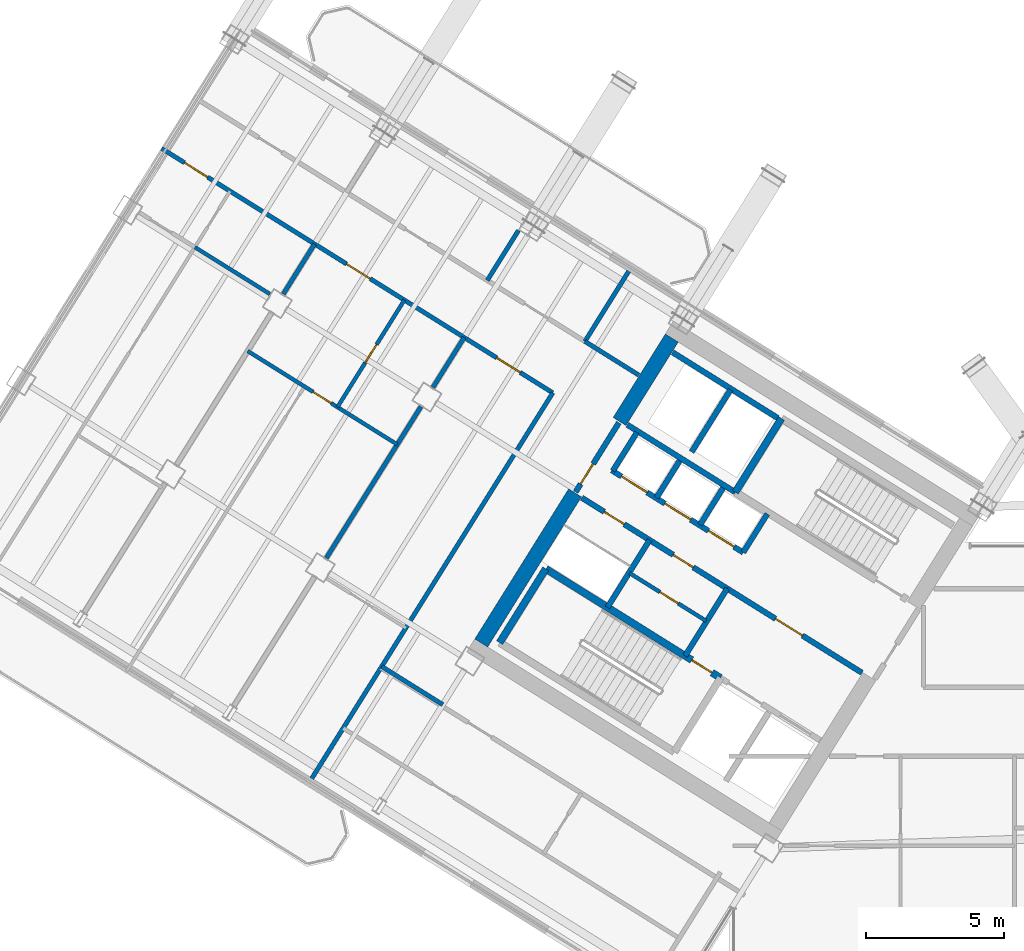
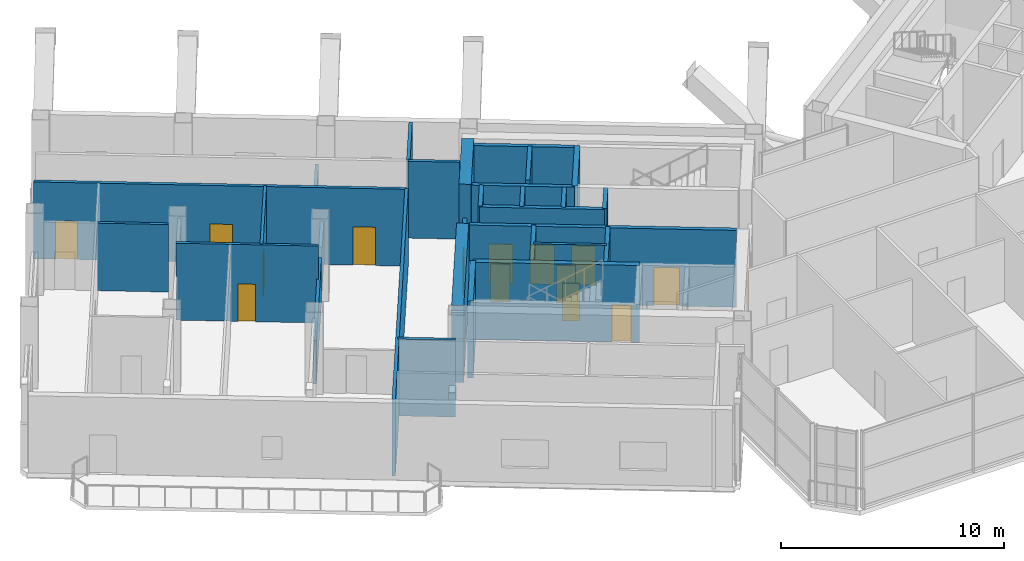
# One storey, part 23 of 34: 31 walls, 14 doors, 14 openings.
"""IFC4 building model written with IfcOpenShell, lengths in metres."""

from ifc_helpers import new_model, si_unit, direction, frame, frame_2d, origin, place, context, subcontext, project, spatial, rectangle, extrude, source, transform, mapped, material, layer, layer_set, type_object, element, fill, save


model = new_model("IFC4")

# Units and contexts
model_context = context("Model", 3, precision=1e-05, world=origin(), true_north=direction((0.0, 1.0)))
body_context = subcontext(model_context, "Body", "Model", "MODEL_VIEW")
ifc_project = project(units=[si_unit("LENGTHUNIT", "METRE"), si_unit("AREAUNIT", "SQUARE_METRE"), si_unit("VOLUMEUNIT", "CUBIC_METRE"), si_unit("PLANEANGLEUNIT", "RADIAN"), si_unit("MASSUNIT", "GRAM", prefix="KILO")], contexts=[model_context])

# Site, building, storey
site_placement = place(None, origin())
site = spatial("IfcSite", under=ifc_project, at=site_placement, CompositionType="ELEMENT")
building_placement = place(site_placement, origin())
building = spatial("IfcBuilding", under=site, at=building_placement, Name="Tlacorven Tower", CompositionType="ELEMENT")
storey_placement = place(building_placement, frame((0.0, 0.0, 174.89990234375)))
storey = spatial("IfcBuildingStorey", under=building, at=storey_placement, Name="L44", CompositionType="ELEMENT", Elevation=174.89990234375)

# Walls
ifc_material_1 = material(Name="Concrete C60/75", Category="concrete")
ifc_layer_1 = layer(ifc_material_1, 0.550048828125)
ifc_layer_set_1 = layer_set([ifc_layer_1], Name="Concrete C60/75")
wall_type_1 = type_object("IfcWallType", Name="WL-COR-550", PredefinedType="SHEAR", material=ifc_layer_set_1)
wall_1_placement = place(storey_placement, frame((29.517333984375, 30.59423828125, 0.0), z_axis=(0.0, 0.0, 1.0), x_axis=(-0.529906864564, -0.848055844204, 0.0)))
element("IfcWall", 1, at=wall_1_placement, inside=storey, type_object=wall_type_1, Name="L44 W core end wall E2.1", PredefinedType="SHEAR", context=body_context, shape_type="SweptSolid", body=[
    extrude(rectangle(XDim=3.5751953125, YDim=0.550048828125, at=frame_2d((1.78759765625, 0.0))), origin(), (0.0, 0.0, 1.0), 4.22021484375),
])
wall_2_placement = place(storey_placement, frame((26.006591796875, 24.975830078125, 0.0), z_axis=(0.0, 0.0, 1.0), x_axis=(-0.529923795287, -0.848045264823, 0.0)))
element("IfcWall", 2, at=wall_2_placement, inside=storey, type_object=wall_type_1, Name="L44 W core end wall E2.2", PredefinedType="SHEAR", context=body_context, shape_type="SweptSolid", body=[
    extrude(rectangle(XDim=6.425048828125, YDim=0.550048828125, at=frame_2d((3.21240234375, 0.0))), origin(), (0.0, 0.0, 1.0), 4.22021484375),
])
ifc_material_2 = material(Name="Gypsum plasterboard acoustic partition", Category="gypsum")
ifc_layer_2 = layer(ifc_material_2, 0.159912109375)
ifc_layer_set_2 = layer_set([ifc_layer_2], Name="Gypsum plasterboard acoustic partition")
wall_type_2 = type_object("IfcWallType", Name="WL-DEM-160", PredefinedType="PARTITIONING", material=ifc_layer_set_2)
wall_3_placement = place(storey_placement, frame((28.320556640625, 29.248779296875, 0.0), z_axis=(0.0, 0.0, 1.0), x_axis=(-0.848028015797, 0.529951398172, 0.0)))
element("IfcWall", 3, at=wall_3_placement, inside=storey, type_object=wall_type_2, Name="L44 partition 46", PredefinedType="PARTITIONING", context=body_context, shape_type="SweptSolid", body=[
    extrude(rectangle(XDim=2.30810546875, YDim=0.159912109375, at=frame_2d((1.154052734375, 0.0))), origin(), (0.0, 0.0, 1.0), 4.210205078125),
])
wall_4_placement = place(storey_placement, frame((21.20556640625, 17.29248046875, 0.0), z_axis=(0.0, 0.0, 1.0), x_axis=(-0.848050851465, 0.529914854792, 0.0)))
element("IfcWall", 4, at=wall_4_placement, inside=storey, type_object=wall_type_2, Name="L44 partition 47", PredefinedType="PARTITIONING", context=body_context, shape_type="SweptSolid", body=[
    extrude(rectangle(XDim=2.60986328125, YDim=0.159912109375, at=frame_2d((1.304931640625, 0.0))), origin(), (0.0, 0.0, 1.0), 4.210205078125),
])
wall_5_placement = place(storey_placement, frame((27.952880859375, 33.01611328125, 0.0), z_axis=(0.0, 0.0, 1.0), x_axis=(-0.529874576144, -0.848076018737, 0.0)))
element("IfcWall", 5, at=wall_5_placement, inside=storey, type_object=wall_type_2, Name="L44 partition 48", PredefinedType="PARTITIONING", context=body_context, shape_type="SweptSolid", body=[
    extrude(rectangle(XDim=3.0, YDim=0.159912109375, at=frame_2d((1.5, 0.0))), origin(), (0.0, 0.0, 1.0), 4.210205078125),
])
wall_6_placement = place(storey_placement, frame((25.197509765625, 28.606201171875, 0.0), z_axis=(0.0, 0.0, 1.0), x_axis=(-0.529921796515, -0.848046513806, 0.0)))
element("IfcWall", 6, at=wall_6_placement, inside=storey, type_object=wall_type_2, Name="L44 partition 49", PredefinedType="PARTITIONING", context=body_context, shape_type="SweptSolid", body=[
    extrude(rectangle(XDim=16.5, YDim=0.159912109375, at=frame_2d((8.25, 0.0))), origin(), (0.0, 0.0, 1.0), 4.210205078125),
])

# Wall, openings, doors
wall_7_placement = place(storey_placement, frame((25.197509765625, 28.606201171875, 0.0), z_axis=(0.0, 0.0, 1.0), x_axis=(-0.848052408131, 0.529912363569, 0.0)))
wall_7 = element("IfcWall", 7, at=wall_7_placement, inside=storey, type_object=wall_type_2, Name="L44 Wing W Corridor North Wall", PredefinedType="PARTITIONING", context=body_context, shape_type="SweptSolid", body=[
    extrude(rectangle(XDim=16.72998046875, YDim=0.159912109375, at=frame_2d((8.364990234375, 0.0))), origin(), (0.0, 0.0, 1.0), 4.210205078125),
])
opening_1_placement = place(wall_7_placement, frame((1.39501953125, 0.0, 0.0)))
opening_1 = element("IfcOpeningElement", 8, at=opening_1_placement, cuts=wall_7, Name="Opening D11", PredefinedType="OPENING", context=body_context, shape_type="SweptSolid", body=[
    extrude(rectangle(XDim=1.0, YDim=2.10009765625, at=frame_2d((0.5, 1.050048828125))), frame((0.0, 0.08984375, 0.0), z_axis=(0.0, -1.0, 0.0), x_axis=(1.0, 0.0, 0.0)), (0.0, 0.0, 1.0), 0.179931640625),
])
opening_2_placement = place(wall_7_placement, frame((7.820068359375, 0.0, 0.0)))
opening_2 = element("IfcOpeningElement", 9, at=opening_2_placement, cuts=wall_7, Name="Opening D11", PredefinedType="OPENING", context=body_context, shape_type="SweptSolid", body=[
    extrude(rectangle(XDim=1.0, YDim=2.10009765625, at=frame_2d((0.5, 1.050048828125))), frame((0.0, 0.08984375, 0.0), z_axis=(0.0, -1.0, 0.0), x_axis=(1.0, 0.0, 0.0)), (0.0, 0.0, 1.0), 0.179931640625),
])
opening_3_placement = place(wall_7_placement, frame((14.760009765625, 0.0, 0.0)))
opening_3 = element("IfcOpeningElement", 10, at=opening_3_placement, cuts=wall_7, Name="Opening D11", PredefinedType="OPENING", context=body_context, shape_type="SweptSolid", body=[
    extrude(rectangle(XDim=1.0, YDim=2.10009765625, at=frame_2d((0.5, 1.050048828125))), frame((0.0, 0.08984375, 0.0), z_axis=(0.0, -1.0, 0.0), x_axis=(1.0, 0.0, 0.0)), (0.0, 0.0, 1.0), 0.179931640625),
])
ifc_material_3 = material(Name="Fire-rated steel door assembly", Category="steel")
door_type_1 = type_object("IfcDoorType", Name="DR-FLT-FD60-1000", OperationType="NOTDEFINED", PredefinedType="DOOR", material=ifc_material_3)
shared_shape_1 = source(origin(), body_context, "Body", "SweptSolid", [
    extrude(rectangle(XDim=1.0, YDim=2.10009765625, at=frame_2d((0.5, 1.050048828125))), frame((0.0, 0.02490234375, 0.0), z_axis=(0.0, -1.0, 0.0), x_axis=(1.0, 0.0, 0.0)), (0.0, 0.0, 1.0), 0.050048828125),
])
door_1_placement = place(opening_1_placement, origin())
door_1 = element("IfcDoor", 11, at=door_1_placement, inside=storey, type_object=door_type_1, Name="L44 door 024", OperationType="SINGLE_SWING_LEFT", OverallHeight=2.10009765625, OverallWidth=1.0, PredefinedType="DOOR", context=body_context, shape_type="MappedRepresentation", body=[
    mapped(shared_shape_1, transform((0.0, 0.0, 0.0), scale=1.0)),
])
fill(opening_1, door_1)
door_2_placement = place(opening_2_placement, origin())
door_2 = element("IfcDoor", 12, at=door_2_placement, inside=storey, type_object=door_type_1, Name="L44 door 027", OperationType="SINGLE_SWING_RIGHT", OverallHeight=2.10009765625, OverallWidth=1.0, PredefinedType="DOOR", context=body_context, shape_type="MappedRepresentation", body=[
    mapped(shared_shape_1, transform((0.0, 0.0, 0.0), scale=1.0)),
])
fill(opening_2, door_2)
door_3_placement = place(opening_3_placement, origin())
door_3 = element("IfcDoor", 13, at=door_3_placement, inside=storey, type_object=door_type_1, Name="L44 door 031", OperationType="SINGLE_SWING_RIGHT", OverallHeight=2.10009765625, OverallWidth=1.0, PredefinedType="DOOR", context=body_context, shape_type="MappedRepresentation", body=[
    mapped(shared_shape_1, transform((0.0, 0.0, 0.0), scale=1.0)),
])
fill(opening_3, door_3)

# Walls
wall_8_placement = place(storey_placement, frame((21.9833984375, 30.614501953125, 0.0), z_axis=(0.0, 0.0, 1.0), x_axis=(-0.529978410432, -0.848011134641, 0.0)))
element("IfcWall", 14, at=wall_8_placement, inside=storey, type_object=wall_type_2, Name="L44 WN Demising Wall 1", PredefinedType="PARTITIONING", context=body_context, shape_type="SweptSolid", body=[
    extrude(rectangle(XDim=2.137939453125, YDim=0.159912109375, at=frame_2d((1.06884765625, 0.0))), origin(), (0.0, 0.0, 1.0), 2.39501953125),
])
wall_9_placement = place(storey_placement, frame((20.413818359375, 28.102783203125, 0.0), z_axis=(0.0, 0.0, 1.0), x_axis=(-0.529934553702, -0.848038542045, 0.0)))
element("IfcWall", 15, at=wall_9_placement, inside=storey, type_object=wall_type_2, Name="L44 WN Demising Wall 1", PredefinedType="PARTITIONING", context=body_context, shape_type="SweptSolid", body=[
    extrude(rectangle(XDim=6.47607421875, YDim=0.159912109375, at=frame_2d((3.238037109375, 0.0))), origin(), (0.0, 0.0, 1.0), 2.39501953125),
])
wall_10_placement = place(storey_placement, frame((16.555908203125, 34.006103515625, 0.0), z_axis=(0.0, 0.0, 1.0), x_axis=(-0.529927092104, -0.84804320471, 0.0)))
element("IfcWall", 16, at=wall_10_placement, inside=storey, type_object=wall_type_2, Name="L44 WN Demising Wall 2", PredefinedType="PARTITIONING", context=body_context, shape_type="SweptSolid", body=[
    extrude(rectangle(XDim=2.13818359375, YDim=0.159912109375, at=frame_2d((1.069091796875, 0.0))), origin(), (0.0, 0.0, 1.0), 2.39501953125),
])
wall_11_placement = place(storey_placement, frame((23.953857421875, 34.49853515625, 0.0), z_axis=(0.0, 0.0, 1.0), x_axis=(-0.529844966244, -0.848094518167, 0.0)))
element("IfcWall", 17, at=wall_11_placement, inside=storey, type_object=wall_type_2, Name="L44 partition 63", PredefinedType="PARTITIONING", context=body_context, shape_type="SweptSolid", body=[
    extrude(rectangle(XDim=2.137939453125, YDim=0.159912109375, at=frame_2d((1.06884765625, 0.0))), origin(), (0.0, 0.0, 1.0), 2.39501953125),
])

# Wall, opening, door
ifc_material_4 = material(Name="Moisture-resistant gypsum plumbing wall", Category="gypsum")
ifc_layer_3 = layer(ifc_material_4, 0.139892578125)
ifc_layer_set_3 = layer_set([ifc_layer_3], Name="Moisture-resistant gypsum plumbing wall")
wall_type_3 = type_object("IfcWallType", Name="WL-PLM-140", PredefinedType="PLUMBINGWALL", material=ifc_layer_set_3)
wall_12_placement = place(storey_placement, frame((30.766357421875, 20.3271484375, 0.0), z_axis=(0.0, 0.0, 1.0), x_axis=(-0.848052663127, 0.529911955482, 0.0)))
wall_12 = element("IfcWall", 18, at=wall_12_placement, inside=storey, type_object=wall_type_3, Name="L44 partition 23", PredefinedType="PLUMBINGWALL", context=body_context, shape_type="SweptSolid", body=[
    extrude(rectangle(XDim=3.27978515625, YDim=0.139892578125, at=frame_2d((1.639892578125, 0.0))), origin(), (0.0, 0.0, 1.0), 4.210205078125),
])
opening_4_placement = place(wall_12_placement, frame((1.199951171875, 0.0, 0.0)))
opening_4 = element("IfcOpeningElement", 19, at=opening_4_placement, cuts=wall_12, Name="Opening D22", PredefinedType="OPENING", context=body_context, shape_type="SweptSolid", body=[
    extrude(rectangle(XDim=0.780029296875, YDim=2.050048828125, at=frame_2d((0.39013671875, 1.02490234375))), frame((0.0, 0.080078125, 0.0), z_axis=(0.0, -1.0, 0.0), x_axis=(1.0, 0.0, 0.0)), (0.0, 0.0, 1.0), 0.159912109375),
])
ifc_material_5 = material(Name="Powder-coated aluminium and timber door", Category="wood")
door_type_2 = type_object("IfcDoorType", Name="DR-INT-WET-0780", OperationType="NOTDEFINED", PredefinedType="DOOR", material=ifc_material_5)
shared_shape_2 = source(origin(), body_context, "Body", "SweptSolid", [
    extrude(rectangle(XDim=0.780029296875, YDim=2.050048828125, at=frame_2d((0.39013671875, 1.02490234375))), frame((0.0, 0.02490234375, 0.0), z_axis=(0.0, -1.0, 0.0), x_axis=(1.0, 0.0, 0.0)), (0.0, 0.0, 1.0), 0.050048828125),
])
door_4_placement = place(opening_4_placement, origin())
door_4 = element("IfcDoor", 20, at=door_4_placement, inside=storey, type_object=door_type_2, Name="L44 door 011", OperationType="SINGLE_SWING_LEFT", OverallHeight=2.050048828125, OverallWidth=0.780029296875, PredefinedType="DOOR", context=body_context, shape_type="MappedRepresentation", body=[
    mapped(shared_shape_2, transform((0.0, 0.0, 0.0), scale=1.0)),
])
fill(opening_4, door_4)

wall_13_placement = place(storey_placement, frame((19.556396484375, 26.73046875, 0.0), z_axis=(0.0, 0.0, 1.0), x_axis=(-0.848049732085, 0.529916646191, 0.0)))
wall_13 = element("IfcWall", 21, at=wall_13_placement, inside=storey, type_object=wall_type_3, Name="L44 partition 55", PredefinedType="PLUMBINGWALL", context=body_context, shape_type="SweptSolid", body=[
    extrude(rectangle(XDim=6.400146484375, YDim=0.139892578125, at=frame_2d((3.2001953125, 0.0))), origin(), (0.0, 0.0, 1.0), 4.210205078125),
])
opening_5_placement = place(wall_13_placement, frame((2.823974609375, 0.0, 0.0)))
opening_5 = element("IfcOpeningElement", 22, at=opening_5_placement, cuts=wall_13, Name="Opening D22", PredefinedType="OPENING", context=body_context, shape_type="SweptSolid", body=[
    extrude(rectangle(XDim=0.780029296875, YDim=2.050048828125, at=frame_2d((0.39013671875, 1.02490234375))), frame((0.0, 0.080078125, 0.0), z_axis=(0.0, -1.0, 0.0), x_axis=(1.0, 0.0, 0.0)), (0.0, 0.0, 1.0), 0.159912109375),
])
door_5_placement = place(opening_5_placement, origin())
door_5 = element("IfcDoor", 23, at=door_5_placement, inside=storey, type_object=door_type_2, Name="L44 door 028", OperationType="SINGLE_SWING_LEFT", OverallHeight=2.050048828125, OverallWidth=0.780029296875, PredefinedType="DOOR", context=body_context, shape_type="MappedRepresentation", body=[
    mapped(shared_shape_2, transform((0.0, 0.0, 0.0), scale=1.0)),
])
fill(opening_5, door_5)

wall_14_placement = place(storey_placement, frame((19.812255859375, 31.97119140625, 0.0), z_axis=(0.0, 0.0, 1.0), x_axis=(-0.529917480809, -0.848049210561, 0.0)))
wall_14 = element("IfcWall", 24, at=wall_14_placement, inside=storey, type_object=wall_type_3, Name="L44 partition 56", PredefinedType="PLUMBINGWALL", context=body_context, shape_type="SweptSolid", body=[
    extrude(rectangle(XDim=4.580078125, YDim=0.139892578125, at=frame_2d((2.2900390625, 0.0))), origin(), (0.0, 0.0, 1.0), 4.210205078125),
])
opening_6_placement = place(wall_14_placement, frame((1.89990234375, 0.0, 0.0)))
opening_6 = element("IfcOpeningElement", 25, at=opening_6_placement, cuts=wall_14, Name="Opening D22", PredefinedType="OPENING", context=body_context, shape_type="SweptSolid", body=[
    extrude(rectangle(XDim=0.780029296875, YDim=2.050048828125, at=frame_2d((0.39013671875, 1.02490234375))), frame((0.0, 0.080078125, 0.0), z_axis=(0.0, -1.0, 0.0), x_axis=(1.0, 0.0, 0.0)), (0.0, 0.0, 1.0), 0.159912109375),
])
door_6_placement = place(opening_6_placement, origin())
door_6 = element("IfcDoor", 26, at=door_6_placement, inside=storey, type_object=door_type_2, Name="L44 door 029", OperationType="SINGLE_SWING_RIGHT", OverallHeight=2.050048828125, OverallWidth=0.780029296875, PredefinedType="DOOR", context=body_context, shape_type="MappedRepresentation", body=[
    mapped(shared_shape_2, transform((0.0, 0.0, 0.0), scale=1.0)),
])
fill(opening_6, door_6)

# Wall
wall_15_placement = place(storey_placement, frame((14.9345703125, 32.189208984375, 0.0), z_axis=(0.0, 0.0, 1.0), x_axis=(-0.848045332252, 0.529923687379, 0.0)))
element("IfcWall", 27, at=wall_15_placement, inside=storey, type_object=wall_type_3, Name="L44 partition 61", PredefinedType="PLUMBINGWALL", context=body_context, shape_type="SweptSolid", body=[
    extrude(rectangle(XDim=3.2080078125, YDim=0.139892578125, at=frame_2d((1.60400390625, 0.0))), origin(), (0.0, 0.0, 1.0), 3.695068359375),
])

# Wall, opening, door
ifc_material_6 = material(Name="Concrete C40/50", Category="concrete")
ifc_layer_4 = layer(ifc_material_6, 0.199951171875)
ifc_layer_set_4 = layer_set([ifc_layer_4], Name="Concrete C40/50")
wall_type_4 = type_object("IfcWallType", Name="WL-SHF-200", PredefinedType="STANDARD", material=ifc_layer_set_4)
wall_16_placement = place(storey_placement, frame((36.416748046875, 18.447265625, 0.0), z_axis=(0.0, 0.0, 1.0), x_axis=(-0.848064879198, 0.529892404805, 0.0)))
wall_16 = element("IfcWall", 28, at=wall_16_placement, inside=storey, type_object=wall_type_4, Name="L44 Core W Smoke Lobby Wall", PredefinedType="STANDARD", context=body_context, shape_type="SweptSolid", body=[
    extrude(rectangle(XDim=5.76806640625, YDim=0.199951171875, at=frame_2d((2.884033203125, 0.0))), origin(), (0.0, 0.0, 1.0), 4.210205078125),
])
opening_7_placement = place(wall_16_placement, frame((2.548095703125, 0.0, 0.0)))
opening_7 = element("IfcOpeningElement", 29, at=opening_7_placement, cuts=wall_16, Name="Opening D09", PredefinedType="OPENING", context=body_context, shape_type="SweptSolid", body=[
    extrude(rectangle(XDim=1.14990234375, YDim=2.10009765625, at=frame_2d((0.574951171875, 1.050048828125))), frame((0.0, 0.10986328125, 0.0), z_axis=(0.0, -1.0, 0.0), x_axis=(1.0, 0.0, 0.0)), (0.0, 0.0, 1.0), 0.219970703125),
])
door_type_3 = type_object("IfcDoorType", Name="DR-FFL-FD60-1150", OperationType="NOTDEFINED", PredefinedType="DOOR", material=ifc_material_3)
shared_shape_3 = source(origin(), body_context, "Body", "SweptSolid", [
    extrude(rectangle(XDim=1.14990234375, YDim=2.10009765625, at=frame_2d((0.574951171875, 1.050048828125))), frame((0.0, 0.02490234375, 0.0), z_axis=(0.0, -1.0, 0.0), x_axis=(1.0, 0.0, 0.0)), (0.0, 0.0, 1.0), 0.050048828125),
])
door_7_placement = place(opening_7_placement, origin())
door_7 = element("IfcDoor", 30, at=door_7_placement, inside=storey, type_object=door_type_3, Name="L44 Firefighting Lobby W Fire Door", OperationType="SINGLE_SWING_RIGHT", OverallHeight=2.10009765625, OverallWidth=1.14990234375, PredefinedType="DOOR", context=body_context, shape_type="MappedRepresentation", body=[
    mapped(shared_shape_3, transform((0.0, 0.0, 0.0), scale=1.0)),
])
fill(opening_7, door_7)

# Wall
wall_17_placement = place(storey_placement, frame((31.82177734375, 24.99755859375, 0.0), z_axis=(0.0, 0.0, 1.0), x_axis=(-0.848036912365, 0.52993716162, 0.0)))
element("IfcWall", 31, at=wall_17_placement, inside=storey, type_object=wall_type_4, Name="L44 Core W South Lift Shaft Wall", PredefinedType="STANDARD", context=body_context, shape_type="SweptSolid", body=[
    extrude(rectangle(XDim=4.617919921875, YDim=0.199951171875, at=frame_2d((2.30908203125, 0.0))), origin(), (0.0, 0.0, 1.0), 4.210205078125),
])

# Wall, openings, doors
wall_18_placement = place(storey_placement, frame((32.108154296875, 22.81396484375, 0.0), z_axis=(0.0, 0.0, 1.0), x_axis=(-0.848042229521, 0.529928652696, 0.0)))
wall_18 = element("IfcWall", 32, at=wall_18_placement, inside=storey, type_object=wall_type_4, Name="L44 partition 11", PredefinedType="STANDARD", context=body_context, shape_type="SweptSolid", body=[
    extrude(rectangle(XDim=5.6201171875, YDim=0.199951171875, at=frame_2d((2.81005859375, 0.0))), origin(), (0.0, 0.0, 1.0), 4.210205078125),
])
opening_8_placement = place(wall_18_placement, frame((0.389892578125, 0.0, 0.0)))
opening_8 = element("IfcOpeningElement", 33, at=opening_8_placement, cuts=wall_18, Name="Opening LD01", PredefinedType="OPENING", context=body_context, shape_type="SweptSolid", body=[
    extrude(rectangle(XDim=1.10009765625, YDim=2.14990234375, at=frame_2d((0.550048828125, 1.074951171875))), frame((0.0, 0.10986328125, 0.0), z_axis=(0.0, -1.0, 0.0), x_axis=(1.0, 0.0, 0.0)), (0.0, 0.0, 1.0), 0.219970703125),
])
opening_9_placement = place(wall_18_placement, frame((2.25, 0.0, 0.0)))
opening_9 = element("IfcOpeningElement", 34, at=opening_9_placement, cuts=wall_18, Name="Opening LD01", PredefinedType="OPENING", context=body_context, shape_type="SweptSolid", body=[
    extrude(rectangle(XDim=1.10009765625, YDim=2.14990234375, at=frame_2d((0.550048828125, 1.074951171875))), frame((0.0, 0.10986328125, 0.0), z_axis=(0.0, -1.0, 0.0), x_axis=(1.0, 0.0, 0.0)), (0.0, 0.0, 1.0), 0.219970703125),
])
opening_10_placement = place(wall_18_placement, frame((4.110107421875, 0.0, 0.0)))
opening_10 = element("IfcOpeningElement", 35, at=opening_10_placement, cuts=wall_18, Name="Opening LD01", PredefinedType="OPENING", context=body_context, shape_type="SweptSolid", body=[
    extrude(rectangle(XDim=1.10009765625, YDim=2.14990234375, at=frame_2d((0.550048828125, 1.074951171875))), frame((0.0, 0.10986328125, 0.0), z_axis=(0.0, -1.0, 0.0), x_axis=(1.0, 0.0, 0.0)), (0.0, 0.0, 1.0), 0.219970703125),
])
door_type_4 = type_object("IfcDoorType", Name="DR-LFT-SLID-1100", OperationType="DOUBLE_DOOR_SLIDING", PredefinedType="DOOR", material=ifc_material_3)
shared_shape_4 = source(origin(), body_context, "Body", "SweptSolid", [
    extrude(rectangle(XDim=1.10009765625, YDim=2.14990234375, at=frame_2d((0.550048828125, 1.074951171875))), frame((0.0, 0.02490234375, 0.0), z_axis=(0.0, -1.0, 0.0), x_axis=(1.0, 0.0, 0.0)), (0.0, 0.0, 1.0), 0.050048828125),
])
door_8_placement = place(opening_8_placement, origin())
door_8 = element("IfcDoor", 36, at=door_8_placement, inside=storey, type_object=door_type_4, Name="L44 Lift PL-M1 Sliding Landing Door", OperationType="DOUBLE_DOOR_SLIDING", OverallHeight=2.14990234375, OverallWidth=1.10009765625, PredefinedType="DOOR", context=body_context, shape_type="MappedRepresentation", body=[
    mapped(shared_shape_4, transform((0.0, 0.0, 0.0), scale=1.0)),
])
fill(opening_8, door_8)
door_9_placement = place(opening_9_placement, origin())
door_9 = element("IfcDoor", 37, at=door_9_placement, inside=storey, type_object=door_type_4, Name="L44 Lift PL-M2 Sliding Landing Door", OperationType="DOUBLE_DOOR_SLIDING", OverallHeight=2.14990234375, OverallWidth=1.10009765625, PredefinedType="DOOR", context=body_context, shape_type="MappedRepresentation", body=[
    mapped(shared_shape_4, transform((0.0, 0.0, 0.0), scale=1.0)),
])
fill(opening_9, door_9)
door_10_placement = place(opening_10_placement, origin())
door_10 = element("IfcDoor", 38, at=door_10_placement, inside=storey, type_object=door_type_4, Name="L44 Lift PL-M3 Sliding Landing Door", OperationType="DOUBLE_DOOR_SLIDING", OverallHeight=2.14990234375, OverallWidth=1.10009765625, PredefinedType="DOOR", context=body_context, shape_type="MappedRepresentation", body=[
    mapped(shared_shape_4, transform((0.0, 0.0, 0.0), scale=1.0)),
])
fill(opening_10, door_10)

# Walls
wall_19_placement = place(storey_placement, frame((32.982421875, 24.21337890625, 0.0), z_axis=(0.0, 0.0, 1.0), x_axis=(-0.529839334948, -0.84809803628, 0.0)))
element("IfcWall", 39, at=wall_19_placement, inside=storey, type_object=wall_type_4, Name="L44 partition 12", PredefinedType="STANDARD", context=body_context, shape_type="SweptSolid", body=[
    extrude(rectangle(XDim=1.650146484375, YDim=0.199951171875, at=frame_2d((0.8251953125, 0.0))), origin(), (0.0, 0.0, 1.0), 4.210205078125),
])
wall_20_placement = place(storey_placement, frame((28.250244140625, 27.170166015625, 0.0), z_axis=(0.0, 0.0, 1.0), x_axis=(-0.529905827651, -0.848056492117, 0.0)))
element("IfcWall", 40, at=wall_20_placement, inside=storey, type_object=wall_type_4, Name="L44 partition 13", PredefinedType="STANDARD", context=body_context, shape_type="SweptSolid", body=[
    extrude(rectangle(XDim=1.64990234375, YDim=0.199951171875, at=frame_2d((0.824951171875, 0.0))), origin(), (0.0, 0.0, 1.0), 4.210205078125),
])
wall_21_placement = place(storey_placement, frame((31.645263671875, 28.716064453125, 0.0), z_axis=(0.0, 0.0, 1.0), x_axis=(-0.52986693015, -0.848080795876, 0.0)))
element("IfcWall", 41, at=wall_21_placement, inside=storey, type_object=wall_type_4, Name="L44 partition 15", PredefinedType="STANDARD", context=body_context, shape_type="SweptSolid", body=[
    extrude(rectangle(XDim=2.659912109375, YDim=0.199951171875, at=frame_2d((1.330078125, 0.0))), origin(), (0.0, 0.0, 1.0), 4.210205078125),
])
wall_22_placement = place(storey_placement, frame((33.362548828125, 27.690185546875, 0.0), z_axis=(0.0, 0.0, 1.0), x_axis=(-0.848047090064, 0.529920874315, 0.0)))
element("IfcWall", 42, at=wall_22_placement, inside=storey, type_object=wall_type_4, Name="L44 partition 17", PredefinedType="STANDARD", context=body_context, shape_type="SweptSolid", body=[
    extrude(rectangle(XDim=4.498046875, YDim=0.199951171875, at=frame_2d((2.2490234375, 0.0))), origin(), (0.0, 0.0, 1.0), 4.210205078125),
])
for number, where, z_axis, x_axis, name in (
    (43, (31.378662109375, 25.156494140625, 0.0), (0.0, 0.0, 1.0), (-0.529998940003, -0.847998304005, 0.0), "L44 partition 18"),
    (44, (29.80126953125, 26.14208984375, 0.0), (0.0, 0.0, 1.0), (-0.529998940003, -0.847998304005, 0.0), "L44 partition 19"),
):
    element("IfcWall", number, at=place(storey_placement, frame(where, z_axis=z_axis, x_axis=x_axis)), inside=storey, type_object=wall_type_4, Name=name, PredefinedType="STANDARD", context=body_context, shape_type="SweptSolid", body=[
        extrude(rectangle(XDim=1.580078125, YDim=0.199951171875, at=frame_2d((0.7900390625, 0.0))), origin(), (0.0, 0.0, 1.0), 4.210205078125),
    ])
for number, where, z_axis, x_axis, name in (
    (45, (31.525146484375, 21.503662109375, 0.0), (0.0, 0.0, 1.0), (-0.529907497854, -0.848055448493, 0.0), "L44 partition 20"),
    (46, (28.709716796875, 23.26318359375, 0.0), (0.0, 0.0, 1.0), (-0.529907497854, -0.848055448493, 0.0), "L44 partition 21"),
):
    element("IfcWall", number, at=place(storey_placement, frame(where, z_axis=z_axis, x_axis=x_axis)), inside=storey, type_object=wall_type_4, Name=name, PredefinedType="STANDARD", context=body_context, shape_type="SweptSolid", body=[
        extrude(rectangle(XDim=2.8798828125, YDim=0.199951171875, at=frame_2d((1.43994140625, 0.0))), origin(), (0.0, 0.0, 1.0), 4.210205078125),
    ])

# Wall, openings, doors
wall_23_placement = place(storey_placement, frame((31.525146484375, 21.503662109375, 0.0), z_axis=(0.0, 0.0, 1.0), x_axis=(-0.848040211232, 0.529931882541, 0.0)))
wall_23 = element("IfcWall", 47, at=wall_23_placement, inside=storey, type_object=wall_type_4, Name="L44 Core W North Service Wall", PredefinedType="STANDARD", context=body_context, shape_type="SweptSolid", body=[
    extrude(rectangle(XDim=6.218017578125, YDim=0.199951171875, at=frame_2d((3.10888671875, 0.0))), origin(), (0.0, 0.0, 1.0), 4.210205078125),
])
opening_11_placement = place(wall_23_placement, frame((4.39990234375, 0.0, 0.0)))
opening_11 = element("IfcOpeningElement", 48, at=opening_11_placement, cuts=wall_23, Name="Opening D19", PredefinedType="OPENING", context=body_context, shape_type="SweptSolid", body=[
    extrude(rectangle(XDim=0.860107421875, YDim=2.050048828125, at=frame_2d((0.43017578125, 1.02490234375))), frame((0.0, 0.10986328125, 0.0), z_axis=(0.0, -1.0, 0.0), x_axis=(1.0, 0.0, 0.0)), (0.0, 0.0, 1.0), 0.219970703125),
])
opening_12_placement = place(wall_23_placement, frame((1.449951171875, 0.0, 0.0)))
opening_12 = element("IfcOpeningElement", 49, at=opening_12_placement, cuts=wall_23, Name="Opening D19", PredefinedType="OPENING", context=body_context, shape_type="SweptSolid", body=[
    extrude(rectangle(XDim=0.860107421875, YDim=2.050048828125, at=frame_2d((0.43017578125, 1.02490234375))), frame((0.0, 0.10986328125, 0.0), z_axis=(0.0, -1.0, 0.0), x_axis=(1.0, 0.0, 0.0)), (0.0, 0.0, 1.0), 0.219970703125),
])
door_type_5 = type_object("IfcDoorType", Name="DR-RSR-FD60-0860", OperationType="NOTDEFINED", PredefinedType="DOOR", material=ifc_material_3)
shared_shape_5 = source(origin(), body_context, "Body", "SweptSolid", [
    extrude(rectangle(XDim=0.860107421875, YDim=2.050048828125, at=frame_2d((0.43017578125, 1.02490234375))), frame((0.0, 0.02490234375, 0.0), z_axis=(0.0, -1.0, 0.0), x_axis=(1.0, 0.0, 0.0)), (0.0, 0.0, 1.0), 0.050048828125),
])
door_11_placement = place(opening_11_placement, frame((0.860107421875, 0.0, 0.0), z_axis=(0.0, 0.0, 1.0), x_axis=(-1.0, 0.0, 0.0)))
door_11 = element("IfcDoor", 50, at=door_11_placement, inside=storey, type_object=door_type_5, Name="L44 Electrical Riser Access Door W", OperationType="SINGLE_SWING_LEFT", OverallHeight=2.050048828125, OverallWidth=0.860107421875, PredefinedType="DOOR", context=body_context, shape_type="MappedRepresentation", body=[
    mapped(shared_shape_5, transform((0.0, 0.0, 0.0), scale=1.0)),
])
fill(opening_11, door_11)
door_12_placement = place(opening_12_placement, frame((0.860107421875, 0.0, 0.0), z_axis=(0.0, 0.0, 1.0), x_axis=(-1.0, 0.0, 0.0)))
door_12 = element("IfcDoor", 51, at=door_12_placement, inside=storey, type_object=door_type_5, Name="L44 Cleaner Store Access Door W", OperationType="SINGLE_SWING_RIGHT", OverallHeight=2.050048828125, OverallWidth=0.860107421875, PredefinedType="DOOR", context=body_context, shape_type="MappedRepresentation", body=[
    mapped(shared_shape_5, transform((0.0, 0.0, 0.0), scale=1.0)),
])
fill(opening_12, door_12)

# Wall, opening, door
wall_24_placement = place(storey_placement, frame((27.59619140625, 27.52001953125, 0.0), z_axis=(0.0, 0.0, 1.0), x_axis=(-0.529865479138, -0.848081702443, 0.0)))
wall_24 = element("IfcWall", 52, at=wall_24_placement, inside=storey, type_object=wall_type_4, Name="L44 partition 45", PredefinedType="STANDARD", context=body_context, shape_type="SweptSolid", body=[
    extrude(rectangle(XDim=2.9599609375, YDim=0.199951171875, at=frame_2d((1.47998046875, 0.0))), origin(), (0.0, 0.0, 1.0), 2.39501953125),
])
opening_13_placement = place(wall_24_placement, frame((1.760009765625, 0.0, 0.0)))
opening_13 = element("IfcOpeningElement", 53, at=opening_13_placement, cuts=wall_24, Name="Opening D19", PredefinedType="OPENING", context=body_context, shape_type="SweptSolid", body=[
    extrude(rectangle(XDim=0.860107421875, YDim=2.050048828125, at=frame_2d((0.43017578125, 1.02490234375))), frame((0.0, 0.10986328125, 0.0), z_axis=(0.0, -1.0, 0.0), x_axis=(1.0, 0.0, 0.0)), (0.0, 0.0, 1.0), 0.219970703125),
])
door_13_placement = place(opening_13_placement, origin())
door_13 = element("IfcDoor", 54, at=door_13_placement, inside=storey, type_object=door_type_5, Name="L44 door 023", OperationType="SINGLE_SWING_LEFT", OverallHeight=2.050048828125, OverallWidth=0.860107421875, PredefinedType="DOOR", context=body_context, shape_type="MappedRepresentation", body=[
    mapped(shared_shape_5, transform((0.0, 0.0, 0.0), scale=1.0)),
])
fill(opening_13, door_13)

ifc_material_7 = material(Name="Concrete C50/60", Category="concrete")
ifc_layer_5 = layer(ifc_material_7, 0.260009765625)
ifc_layer_set_5 = layer_set([ifc_layer_5], Name="Concrete C50/60")
wall_type_5 = type_object("IfcWallType", Name="WL-STW-260", PredefinedType="SHEAR", material=ifc_layer_set_5)
wall_25_placement = place(storey_placement, frame((31.279541015625, 18.26123046875, 0.0), z_axis=(0.0, 0.0, 1.0), x_axis=(-0.848051618787, 0.529913626805, 0.0)))
wall_25 = element("IfcWall", 55, at=wall_25_placement, inside=storey, type_object=wall_type_5, Name="L44 Stair W1 Lobby Shear Wall", PredefinedType="SHEAR", context=body_context, shape_type="SweptSolid", body=[
    extrude(rectangle(XDim=7.4599609375, YDim=0.260009765625, at=frame_2d((3.72998046875, 0.0))), origin(), (0.0, 0.0, 1.0), 4.22021484375),
])
opening_14_placement = place(wall_25_placement, frame((0.360107421875, 0.0, 0.0)))
opening_14 = element("IfcOpeningElement", 56, at=opening_14_placement, cuts=wall_25, Name="Opening D19", PredefinedType="OPENING", context=body_context, shape_type="SweptSolid", body=[
    extrude(rectangle(XDim=0.860107421875, YDim=2.050048828125, at=frame_2d((0.43017578125, 1.02490234375))), frame((0.0, 0.14013671875, 0.0), z_axis=(0.0, -1.0, 0.0), x_axis=(1.0, 0.0, 0.0)), (0.0, 0.0, 1.0), 0.280029296875),
])
door_14_placement = place(opening_14_placement, frame((0.860107421875, 0.0, 0.0), z_axis=(0.0, 0.0, 1.0), x_axis=(-1.0, 0.0, 0.0)))
door_14 = element("IfcDoor", 57, at=door_14_placement, inside=storey, type_object=door_type_5, Name="L44 Exit Stair W1 Fire Door", OperationType="SINGLE_SWING_LEFT", OverallHeight=2.050048828125, OverallWidth=0.860107421875, PredefinedType="DOOR", context=body_context, shape_type="MappedRepresentation", body=[
    mapped(shared_shape_5, transform((0.0, 0.0, 0.0), scale=1.0)),
])
fill(opening_14, door_14)

# Walls
for number, where, z_axis, x_axis, name in (
    (58, (24.944580078125, 22.2197265625, 0.0), (0.0, 0.0, 1.0), (-0.529908658664, -0.84805472316, 0.0), "L44 Stair W1 East Shear Wall"),
    (59, (33.496337890625, 27.677490234375, 0.0), (0.0, 0.0, 1.0), (-0.529908658664, -0.84805472316, 0.0), "L44 Stair W2 East Shear Wall"),
):
    element("IfcWall", number, at=place(storey_placement, frame(where, z_axis=z_axis, x_axis=x_axis)), inside=storey, type_object=wall_type_5, Name=name, PredefinedType="SHEAR", context=body_context, shape_type="SweptSolid", body=[
        extrude(rectangle(XDim=3.16015625, YDim=0.260009765625, at=frame_2d((1.580078125, 0.0))), origin(), (0.0, 0.0, 1.0), 4.22021484375),
    ])

save(model, "model.ifc")
